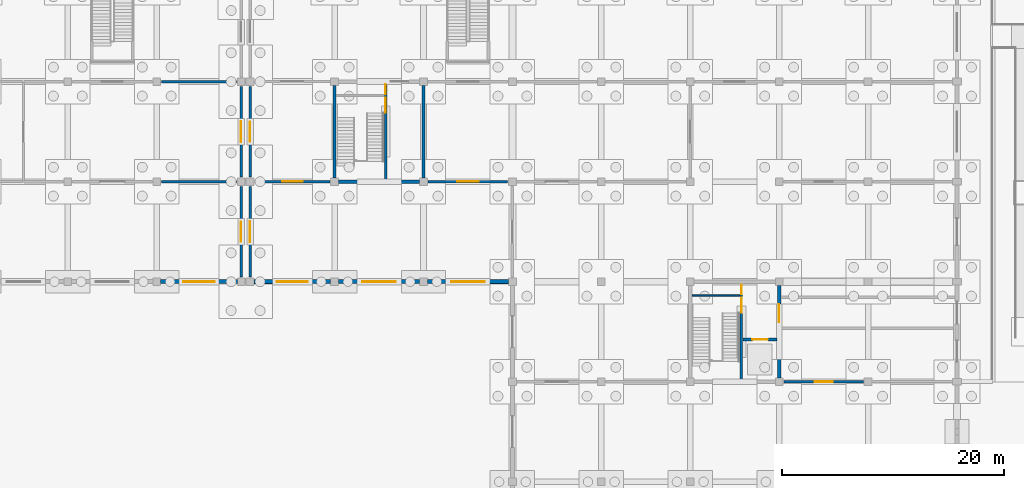
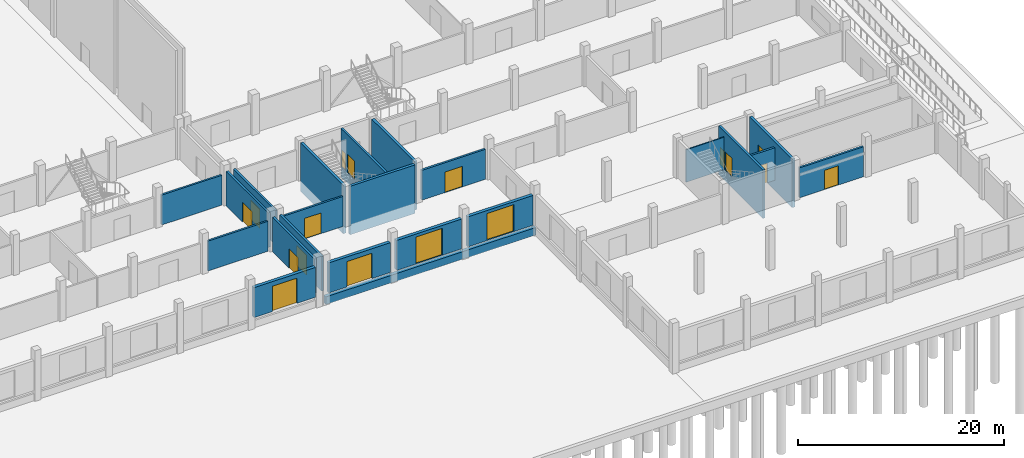
# One storey, part 52 of 72: 22 walls, 17 doors, 17 openings.
"""IFC4 building model written with IfcOpenShell, lengths in metres."""

from ifc_helpers import new_model, si_unit, direction, frame, frame_2d, origin, place, context, subcontext, project, spatial, rectangle, extrude, material, layer, layer_set, type_object, element, fill, save


model = new_model("IFC4")

# Units and contexts
model_context = context("Model", 3, precision=1e-05, world=origin(), true_north=direction((0.0, 1.0)))
body_context = subcontext(model_context, "Body", "Model", "MODEL_VIEW")
ifc_project = project(units=[si_unit("LENGTHUNIT", "METRE"), si_unit("AREAUNIT", "SQUARE_METRE"), si_unit("VOLUMEUNIT", "CUBIC_METRE"), si_unit("PLANEANGLEUNIT", "RADIAN"), si_unit("MASSUNIT", "GRAM", prefix="KILO"), si_unit("THERMODYNAMICTEMPERATUREUNIT", "KELVIN"), si_unit("POWERUNIT", "WATT")], contexts=[model_context])

# Site, building, storey
site_placement = place(None, origin())
site = spatial("IfcSite", under=ifc_project, at=site_placement, CompositionType="ELEMENT")
building_placement = place(site_placement, origin())
building = spatial("IfcBuilding", under=site, at=building_placement, Name="Kronsvod Quay Wholesale Market", CompositionType="ELEMENT")
storey_placement = place(building_placement, origin())
storey = spatial("IfcBuildingStorey", under=building, at=storey_placement, Name="L00", CompositionType="ELEMENT", Elevation=0.0)

# Wall, opening, door
ifc_material_1 = material(Name="Polyisocyanurate deep-freeze panel")
ifc_layer_1 = layer(ifc_material_1, 0.22998046875)
ifc_layer_set_1 = layer_set([ifc_layer_1], Name="Polyisocyanurate deep-freeze panel")
wall_type_1 = type_object("IfcWallType", Name="Wall_ColdFreezer230", PredefinedType="PARTITIONING", material=ifc_layer_set_1)
wall_1_placement = place(storey_placement, frame((144.419921875, 36.0, 0.0), z_axis=(0.0, 0.0, 1.0), x_axis=(1.0, 0.0, 0.0)))
wall_1 = element("IfcWall", 1, at=wall_1_placement, inside=storey, type_object=wall_type_1, Name="PW-L00-0048", PredefinedType="PARTITIONING", context=body_context, shape_type="SweptSolid", body=[
    extrude(rectangle(XDim=7.16015625, YDim=0.22998046875, at=frame_2d((3.580078125, 0.0))), origin(), (0.0, 0.0, 1.0), 3.550048828125),
])
opening_1_placement = place(wall_1_placement, frame((2.60498046875, 0.0, 0.0)))
opening_1 = element("IfcOpeningElement", 2, at=opening_1_placement, cuts=wall_1, Name="Opening D-0155", PredefinedType="OPENING", context=body_context, shape_type="SweptSolid", body=[
    extrude(rectangle(XDim=1.949951171875, YDim=2.449951171875, at=frame_2d((0.97509765625, 1.22509765625))), frame((0.0, 0.125, 0.0), z_axis=(0.0, -1.0, 0.0), x_axis=(1.0, 0.0, 0.0)), (0.0, 0.0, 1.0), 0.25),
])
ifc_material_2 = material(Name="Heated-frame deep-freeze sliding door", Category="steel")
door_type_1 = type_object("IfcDoorType", Name="Door_FreezerSlide195x245", OperationType="SLIDING_TO_RIGHT", PredefinedType="DOOR", material=ifc_material_2)
door_1_placement = place(opening_1_placement, origin())
door_1 = element("IfcDoor", 3, at=door_1_placement, inside=storey, type_object=door_type_1, Name="Interior Door D-0155", OperationType="SLIDING_TO_LEFT", OverallHeight=2.449951171875, OverallWidth=1.949951171875, PredefinedType="DOOR", context=body_context, shape_type="SweptSolid", body=[
    extrude(rectangle(XDim=1.949951171875, YDim=2.449951171875, at=frame_2d((0.97509765625, 1.22509765625))), frame((0.0, 0.02490234375, 0.0), z_axis=(0.0, -1.0, 0.0), x_axis=(1.0, 0.0, 0.0)), (0.0, 0.0, 1.0), 0.050048828125),
])
fill(opening_1, door_1)

# Wall
ifc_material_3 = material(Name="Polyisocyanurate insulated cold-room panel")
ifc_layer_2 = layer(ifc_material_3, 0.2099609375)
ifc_layer_set_2 = layer_set([ifc_layer_2], Name="Polyisocyanurate insulated cold-room panel")
wall_type_2 = type_object("IfcWallType", Name="Wall_ColdInsul210", PredefinedType="PARTITIONING", material=ifc_layer_set_2)
wall_2_placement = place(storey_placement, frame((120.419921875, 36.0, 0.0), z_axis=(0.0, 0.0, 1.0), x_axis=(1.0, 0.0, 0.0)))
element("IfcWall", 4, at=wall_2_placement, inside=storey, type_object=wall_type_2, Name="PW-L00-0045", PredefinedType="PARTITIONING", context=body_context, shape_type="SweptSolid", body=[
    extrude(rectangle(XDim=6.760009765625, YDim=0.2099609375, at=frame_2d((3.3798828125, 0.0))), origin(), (0.0, 0.0, 1.0), 3.550048828125),
])

# Wall, opening, door
wall_3_placement = place(storey_placement, frame((128.820068359375, 36.0, 0.0), z_axis=(0.0, 0.0, 1.0), x_axis=(1.0, 0.0, 0.0)))
wall_3 = element("IfcWall", 5, at=wall_3_placement, inside=storey, type_object=wall_type_2, Name="PW-L00-0047", PredefinedType="PARTITIONING", context=body_context, shape_type="SweptSolid", body=[
    extrude(rectangle(XDim=6.760009765625, YDim=0.2099609375, at=frame_2d((3.3798828125, 0.0))), origin(), (0.0, 0.0, 1.0), 3.550048828125),
])
opening_2_placement = place(wall_3_placement, frame((2.455078125, 0.0, 0.0)))
opening_2 = element("IfcOpeningElement", 6, at=opening_2_placement, cuts=wall_3, Name="Opening D-0154", PredefinedType="OPENING", context=body_context, shape_type="SweptSolid", body=[
    extrude(rectangle(XDim=1.85009765625, YDim=2.449951171875, at=frame_2d((0.925048828125, 1.22509765625))), frame((0.0, 0.114990234375, 0.0), z_axis=(0.0, -1.0, 0.0), x_axis=(1.0, 0.0, 0.0)), (0.0, 0.0, 1.0), 0.22998046875),
])
ifc_material_4 = material(Name="Insulated stainless cold-store door", Category="steel")
door_type_2 = type_object("IfcDoorType", Name="Door_ColdSlide185x245", OperationType="SLIDING_TO_LEFT", PredefinedType="DOOR", material=ifc_material_4)
door_2_placement = place(opening_2_placement, origin())
door_2 = element("IfcDoor", 7, at=door_2_placement, inside=storey, type_object=door_type_2, Name="Interior Door D-0154", OperationType="SLIDING_TO_LEFT", OverallHeight=2.449951171875, OverallWidth=1.85009765625, PredefinedType="DOOR", context=body_context, shape_type="SweptSolid", body=[
    extrude(rectangle(XDim=1.85009765625, YDim=2.449951171875, at=frame_2d((0.925048828125, 1.22509765625))), frame((0.0, 0.02490234375, 0.0), z_axis=(0.0, -1.0, 0.0), x_axis=(1.0, 0.0, 0.0)), (0.0, 0.0, 1.0), 0.050048828125),
])
fill(opening_2, door_2)

# Walls
wall_4_placement = place(storey_placement, frame((120.419921875, 45.0, 0.0), z_axis=(0.0, 0.0, 1.0), x_axis=(1.0, 0.0, 0.0)))
element("IfcWall", 8, at=wall_4_placement, inside=storey, type_object=wall_type_2, Name="PW-L00-0068", PredefinedType="PARTITIONING", context=body_context, shape_type="SweptSolid", body=[
    extrude(rectangle(XDim=6.760009765625, YDim=0.2099609375, at=frame_2d((3.3798828125, 0.0))), origin(), (0.0, 0.0, 1.0), 3.550048828125),
])
ifc_material_5 = material(Name="Concrete C35/45", Category="concrete")
ifc_layer_3 = layer(ifc_material_5, 0.300048828125)
ifc_layer_set_3 = layer_set([ifc_layer_3], Name="Concrete C35/45")
wall_type_3 = type_object("IfcWallType", Name="Wall_CoreShear300", PredefinedType="SHEAR", material=ifc_layer_set_3)
wall_5_placement = place(storey_placement, frame((136.344970703125, 36.0, -1.25), z_axis=(0.0, 0.0, 1.0), x_axis=(1.0, 0.0, 0.0)))
element("IfcWall", 9, at=wall_5_placement, inside=storey, type_object=wall_type_3, Name="CW-C05-L00-S", PredefinedType="SHEAR", context=body_context, shape_type="SweptSolid", body=[
    extrude(rectangle(XDim=7.31005859375, YDim=0.300048828125, at=frame_2d((3.655029296875, 0.0))), origin(), (0.0, 0.0, 1.0), 5.7548828125),
])
for number, where, z_axis, x_axis, name in (
    (10, (136.0, 36.344970703125, -1.25), (0.0, 0.0, 1.0), (0.0, 1.0, 0.0), "CW-C05-L00-W"),
    (11, (144.0, 36.344970703125, -1.25), (0.0, 0.0, 1.0), (0.0, 1.0, 0.0), "CW-C05-L00-E"),
):
    element("IfcWall", number, at=place(storey_placement, frame(where, z_axis=z_axis, x_axis=x_axis)), inside=storey, type_object=wall_type_3, Name=name, PredefinedType="SHEAR", context=body_context, shape_type="SweptSolid", body=[
        extrude(rectangle(XDim=8.31005859375, YDim=0.300048828125, at=frame_2d((4.155029296875, 0.0))), origin(), (0.0, 0.0, 1.0), 5.7548828125),
    ])

# Wall, opening, door
wall_6_placement = place(storey_placement, frame((176.0, 18.344970703125, -1.25), z_axis=(0.0, 0.0, 1.0), x_axis=(0.0, 1.0, 0.0)))
wall_6 = element("IfcWall", 12, at=wall_6_placement, inside=storey, type_object=wall_type_3, Name="CW-C06-L00-E", PredefinedType="SHEAR", context=body_context, shape_type="SweptSolid", body=[
    extrude(rectangle(XDim=8.31005859375, YDim=0.300048828125, at=frame_2d((4.155029296875, 0.0))), origin(), (0.0, 0.0, 1.0), 5.7548828125),
])
opening_3_placement = place(wall_6_placement, frame((5.0, 0.0, 1.25)))
opening_3 = element("IfcOpeningElement", 13, at=opening_3_placement, cuts=wall_6, Name="Opening D-0056", PredefinedType="OPENING", context=body_context, shape_type="SweptSolid", body=[
    extrude(rectangle(XDim=1.64990234375, YDim=2.219970703125, at=frame_2d((0.824951171875, 1.10986328125))), frame((0.0, 0.16015625, 0.0), z_axis=(0.0, -1.0, 0.0), x_axis=(1.0, 0.0, 0.0)), (0.0, 0.0, 1.0), 0.320068359375),
])
ifc_material_6 = material(Name="Painted galvanized fire steel", Category="steel")
door_type_3 = type_object("IfcDoorType", Name="Door_FireLobby165x222", OperationType="DOUBLE_DOOR_SINGLE_SWING", PredefinedType="DOOR", material=ifc_material_6)
door_3_placement = place(opening_3_placement, frame((1.64990234375, 0.0, 0.0), z_axis=(0.0, 0.0, 1.0), x_axis=(-1.0, 0.0, 0.0)))
door_3 = element("IfcDoor", 14, at=door_3_placement, inside=storey, type_object=door_type_3, Name="Core Lobby Door D-0056", OperationType="DOUBLE_DOOR_SINGLE_SWING", OverallHeight=2.219970703125, OverallWidth=1.64990234375, PredefinedType="DOOR", context=body_context, shape_type="SweptSolid", body=[
    extrude(rectangle(XDim=1.64990234375, YDim=2.219970703125, at=frame_2d((0.824951171875, 1.10986328125))), frame((0.0, 0.02490234375, 0.0), z_axis=(0.0, -1.0, 0.0), x_axis=(1.0, 0.0, 0.0)), (0.0, 0.0, 1.0), 0.050048828125),
])
fill(opening_3, door_3)

ifc_material_7 = material(Name="Precast concrete C40/50", Category="concrete")
ifc_layer_4 = layer(ifc_material_7, 0.360107421875)
ifc_layer_set_4 = layer_set([ifc_layer_4], Name="Precast concrete C40/50")
wall_type_4 = type_object("IfcWallType", Name="Wall_ExtColdSandwich360", PredefinedType="SOLIDWALL", material=ifc_layer_set_4)
wall_7_placement = place(storey_placement, frame((120.344970703125, 27.0, 0.0), z_axis=(0.0, 0.0, 1.0), x_axis=(1.0, 0.0, 0.0)))
wall_7 = element("IfcWall", 15, at=wall_7_placement, inside=storey, type_object=wall_type_4, Name="EW-X-L00-0040", PredefinedType="SOLIDWALL", context=body_context, shape_type="SweptSolid", body=[
    extrude(rectangle(XDim=6.909912109375, YDim=0.360107421875, at=frame_2d((3.455078125, 0.0))), origin(), (0.0, 0.0, 1.0), 3.550048828125),
])
opening_4_placement = place(wall_7_placement, frame((2.054931640625, 0.0, 0.0)))
opening_4 = element("IfcOpeningElement", 16, at=opening_4_placement, cuts=wall_7, Name="Opening ED-025", PredefinedType="OPENING", context=body_context, shape_type="SweptSolid", body=[
    extrude(rectangle(XDim=2.800048828125, YDim=3.0, at=frame_2d((1.39990234375, 1.5))), frame((0.0, 0.18994140625, 0.0), z_axis=(0.0, -1.0, 0.0), x_axis=(1.0, 0.0, 0.0)), (0.0, 0.0, 1.0), 0.380126953125),
])
ifc_material_8 = material(Name="Insulated galvanized steel sectional shutter", Category="steel")
door_type_4 = type_object("IfcDoorType", Name="Door_DockShutter280x300", OperationType="ROLLINGUP", PredefinedType="GATE", material=ifc_material_8)
door_4_placement = place(opening_4_placement, origin())
door_4 = element("IfcDoor", 17, at=door_4_placement, inside=storey, type_object=door_type_4, Name="Loading Dock Door ED-025", OperationType="ROLLINGUP", OverallHeight=3.0, OverallWidth=2.800048828125, PredefinedType="GATE", context=body_context, shape_type="SweptSolid", body=[
    extrude(rectangle(XDim=2.800048828125, YDim=3.0, at=frame_2d((1.39990234375, 1.5))), frame((0.0, 0.02490234375, 0.0), z_axis=(0.0, -1.0, 0.0), x_axis=(1.0, 0.0, 0.0)), (0.0, 0.0, 1.0), 0.050048828125),
])
fill(opening_4, door_4)

wall_8_placement = place(storey_placement, frame((128.7451171875, 27.0, 0.0), z_axis=(0.0, 0.0, 1.0), x_axis=(1.0, 0.0, 0.0)))
wall_8 = element("IfcWall", 18, at=wall_8_placement, inside=storey, type_object=wall_type_4, Name="EW-X-L00-0070", PredefinedType="SOLIDWALL", context=body_context, shape_type="SweptSolid", body=[
    extrude(rectangle(XDim=6.909912109375, YDim=0.360107421875, at=frame_2d((3.455078125, 0.0))), origin(), (0.0, 0.0, 1.0), 3.550048828125),
])
opening_5_placement = place(wall_8_placement, frame((2.054931640625, 0.0, 0.0)))
opening_5 = element("IfcOpeningElement", 19, at=opening_5_placement, cuts=wall_8, Name="Opening ED-037", PredefinedType="OPENING", context=body_context, shape_type="SweptSolid", body=[
    extrude(rectangle(XDim=2.800048828125, YDim=3.0, at=frame_2d((1.39990234375, 1.5))), frame((0.0, 0.18994140625, 0.0), z_axis=(0.0, -1.0, 0.0), x_axis=(1.0, 0.0, 0.0)), (0.0, 0.0, 1.0), 0.380126953125),
])
door_5_placement = place(opening_5_placement, origin())
door_5 = element("IfcDoor", 20, at=door_5_placement, inside=storey, type_object=door_type_4, Name="Loading Dock Door ED-037", OperationType="ROLLINGUP", OverallHeight=3.0, OverallWidth=2.800048828125, PredefinedType="GATE", context=body_context, shape_type="SweptSolid", body=[
    extrude(rectangle(XDim=2.800048828125, YDim=3.0, at=frame_2d((1.39990234375, 1.5))), frame((0.0, 0.02490234375, 0.0), z_axis=(0.0, -1.0, 0.0), x_axis=(1.0, 0.0, 0.0)), (0.0, 0.0, 1.0), 0.050048828125),
])
fill(opening_5, door_5)

wall_9_placement = place(storey_placement, frame((136.344970703125, 27.0, 0.0), z_axis=(0.0, 0.0, 1.0), x_axis=(1.0, 0.0, 0.0)))
wall_9 = element("IfcWall", 21, at=wall_9_placement, inside=storey, type_object=wall_type_4, Name="EW-X-L00-0071", PredefinedType="SOLIDWALL", context=body_context, shape_type="SweptSolid", body=[
    extrude(rectangle(XDim=7.31005859375, YDim=0.360107421875, at=frame_2d((3.655029296875, 0.0))), origin(), (0.0, 0.0, 1.0), 3.550048828125),
])
opening_6_placement = place(wall_9_placement, frame((2.155029296875, 0.0, 0.0)))
opening_6 = element("IfcOpeningElement", 22, at=opening_6_placement, cuts=wall_9, Name="Opening ED-038", PredefinedType="OPENING", context=body_context, shape_type="SweptSolid", body=[
    extrude(rectangle(XDim=3.0, YDim=3.199951171875, at=frame_2d((1.5, 1.60009765625))), frame((0.0, 0.18994140625, 0.0), z_axis=(0.0, -1.0, 0.0), x_axis=(1.0, 0.0, 0.0)), (0.0, 0.0, 1.0), 0.380126953125),
])
ifc_material_9 = material(Name="Insulated galvanized steel sectional shutter", Category="steel")
door_type_5 = type_object("IfcDoorType", Name="Door_DockShutter300x320", OperationType="ROLLINGUP", PredefinedType="GATE", material=ifc_material_9)
door_6_placement = place(opening_6_placement, origin())
door_6 = element("IfcDoor", 23, at=door_6_placement, inside=storey, type_object=door_type_5, Name="Loading Dock Door ED-038", OperationType="ROLLINGUP", OverallHeight=3.199951171875, OverallWidth=3.0, PredefinedType="GATE", context=body_context, shape_type="SweptSolid", body=[
    extrude(rectangle(XDim=3.0, YDim=3.199951171875, at=frame_2d((1.5, 1.60009765625))), frame((0.0, 0.02490234375, 0.0), z_axis=(0.0, -1.0, 0.0), x_axis=(1.0, 0.0, 0.0)), (0.0, 0.0, 1.0), 0.050048828125),
])
fill(opening_6, door_6)

wall_10_placement = place(storey_placement, frame((144.344970703125, 27.0, 0.0), z_axis=(0.0, 0.0, 1.0), x_axis=(1.0, 0.0, 0.0)))
wall_10 = element("IfcWall", 24, at=wall_10_placement, inside=storey, type_object=wall_type_4, Name="EW-X-L00-0072", PredefinedType="SOLIDWALL", context=body_context, shape_type="SweptSolid", body=[
    extrude(rectangle(XDim=7.31005859375, YDim=0.360107421875, at=frame_2d((3.655029296875, 0.0))), origin(), (0.0, 0.0, 1.0), 3.550048828125),
])
opening_7_placement = place(wall_10_placement, frame((2.155029296875, 0.0, 0.0)))
opening_7 = element("IfcOpeningElement", 25, at=opening_7_placement, cuts=wall_10, Name="Opening ED-039", PredefinedType="OPENING", context=body_context, shape_type="SweptSolid", body=[
    extrude(rectangle(XDim=3.0, YDim=3.199951171875, at=frame_2d((1.5, 1.60009765625))), frame((0.0, 0.18994140625, 0.0), z_axis=(0.0, -1.0, 0.0), x_axis=(1.0, 0.0, 0.0)), (0.0, 0.0, 1.0), 0.380126953125),
])
door_7_placement = place(opening_7_placement, origin())
door_7 = element("IfcDoor", 26, at=door_7_placement, inside=storey, type_object=door_type_5, Name="Loading Dock Door ED-039", OperationType="ROLLINGUP", OverallHeight=3.199951171875, OverallWidth=3.0, PredefinedType="GATE", context=body_context, shape_type="SweptSolid", body=[
    extrude(rectangle(XDim=3.0, YDim=3.199951171875, at=frame_2d((1.5, 1.60009765625))), frame((0.0, 0.02490234375, 0.0), z_axis=(0.0, -1.0, 0.0), x_axis=(1.0, 0.0, 0.0)), (0.0, 0.0, 1.0), 0.050048828125),
])
fill(opening_7, door_7)

ifc_material_10 = material(Name="Precast concrete C40/50", Category="concrete")
ifc_layer_5 = layer(ifc_material_10, 0.239990234375)
ifc_layer_set_5 = layer_set([ifc_layer_5], Name="Precast concrete C40/50")
wall_type_5 = type_object("IfcWallType", Name="Wall_ExtSpandrel240", PredefinedType="SOLIDWALL", material=ifc_layer_set_5)
wall_11_placement = place(storey_placement, frame((127.60009765625, 27.419921875, 0.0), z_axis=(0.0, 0.0, 1.0), x_axis=(0.0, 1.0, 0.0)))
wall_11 = element("IfcWall", 27, at=wall_11_placement, inside=storey, type_object=wall_type_5, Name="MJWG-L00-1276-270", PredefinedType="SOLIDWALL", context=body_context, shape_type="SweptSolid", body=[
    extrude(rectangle(XDim=8.16015625, YDim=0.239990234375, at=frame_2d((4.080078125, 0.0))), origin(), (0.0, 0.0, 1.0), 4.10009765625),
])
opening_8_placement = place(wall_11_placement, frame((3.179931640625, 0.0, 0.0)))
opening_8 = element("IfcOpeningElement", 28, at=opening_8_placement, cuts=wall_11, Name="Opening D-0332", PredefinedType="OPENING", context=body_context, shape_type="SweptSolid", body=[
    extrude(rectangle(XDim=1.800048828125, YDim=2.300048828125, at=frame_2d((0.89990234375, 1.14990234375))), frame((0.0, 0.1298828125, 0.0), z_axis=(0.0, -1.0, 0.0), x_axis=(1.0, 0.0, 0.0)), (0.0, 0.0, 1.0), 0.260009765625),
])
ifc_material_11 = material(Name="Painted galvanized fire steel", Category="steel")
door_type_6 = type_object("IfcDoorType", Name="Door_FireComp180x230", OperationType="DOUBLE_DOOR_SINGLE_SWING", PredefinedType="DOOR", material=ifc_material_11)
door_8_placement = place(opening_8_placement, origin())
door_8 = element("IfcDoor", 29, at=door_8_placement, inside=storey, type_object=door_type_6, Name="Fire Compartment Door D-0332", OperationType="DOUBLE_DOOR_SINGLE_SWING", OverallHeight=2.300048828125, OverallWidth=1.800048828125, PredefinedType="DOOR", context=body_context, shape_type="SweptSolid", body=[
    extrude(rectangle(XDim=1.800048828125, YDim=2.300048828125, at=frame_2d((0.89990234375, 1.14990234375))), frame((0.0, 0.02490234375, 0.0), z_axis=(0.0, -1.0, 0.0), x_axis=(1.0, 0.0, 0.0)), (0.0, 0.0, 1.0), 0.050048828125),
])
fill(opening_8, door_8)

wall_12_placement = place(storey_placement, frame((127.60009765625, 36.419921875, 0.0), z_axis=(0.0, 0.0, 1.0), x_axis=(0.0, 1.0, 0.0)))
wall_12 = element("IfcWall", 30, at=wall_12_placement, inside=storey, type_object=wall_type_5, Name="MJWG-L00-1276-360", PredefinedType="SOLIDWALL", context=body_context, shape_type="SweptSolid", body=[
    extrude(rectangle(XDim=8.16015625, YDim=0.239990234375, at=frame_2d((4.080078125, 0.0))), origin(), (0.0, 0.0, 1.0), 4.10009765625),
])
opening_9_placement = place(wall_12_placement, frame((3.1298828125, 0.0, 0.0)))
opening_9 = element("IfcOpeningElement", 31, at=opening_9_placement, cuts=wall_12, Name="Opening D-0333", PredefinedType="OPENING", context=body_context, shape_type="SweptSolid", body=[
    extrude(rectangle(XDim=1.89990234375, YDim=2.35009765625, at=frame_2d((0.949951171875, 1.175048828125))), frame((0.0, 0.1298828125, 0.0), z_axis=(0.0, -1.0, 0.0), x_axis=(1.0, 0.0, 0.0)), (0.0, 0.0, 1.0), 0.260009765625),
])
ifc_material_12 = material(Name="Painted galvanized fire steel", Category="steel")
door_type_7 = type_object("IfcDoorType", Name="Door_FireComp190x235", OperationType="DOUBLE_DOOR_SINGLE_SWING", PredefinedType="DOOR", material=ifc_material_12)
door_9_placement = place(opening_9_placement, origin())
door_9 = element("IfcDoor", 32, at=door_9_placement, inside=storey, type_object=door_type_7, Name="Fire Compartment Door D-0333", OperationType="DOUBLE_DOOR_SINGLE_SWING", OverallHeight=2.35009765625, OverallWidth=1.89990234375, PredefinedType="DOOR", context=body_context, shape_type="SweptSolid", body=[
    extrude(rectangle(XDim=1.89990234375, YDim=2.35009765625, at=frame_2d((0.949951171875, 1.175048828125))), frame((0.0, 0.02490234375, 0.0), z_axis=(0.0, -1.0, 0.0), x_axis=(1.0, 0.0, 0.0)), (0.0, 0.0, 1.0), 0.050048828125),
])
fill(opening_9, door_9)

wall_13_placement = place(storey_placement, frame((128.39990234375, 27.419921875, 0.0), z_axis=(0.0, 0.0, 1.0), x_axis=(0.0, 1.0, 0.0)))
wall_13 = element("IfcWall", 33, at=wall_13_placement, inside=storey, type_object=wall_type_5, Name="MJWG-L00-1284-270", PredefinedType="SOLIDWALL", context=body_context, shape_type="SweptSolid", body=[
    extrude(rectangle(XDim=8.16015625, YDim=0.239990234375, at=frame_2d((4.080078125, 0.0))), origin(), (0.0, 0.0, 1.0), 4.10009765625),
])
opening_10_placement = place(wall_13_placement, frame((3.1298828125, 0.0, 0.0)))
opening_10 = element("IfcOpeningElement", 34, at=opening_10_placement, cuts=wall_13, Name="Opening D-0341", PredefinedType="OPENING", context=body_context, shape_type="SweptSolid", body=[
    extrude(rectangle(XDim=1.89990234375, YDim=2.35009765625, at=frame_2d((0.949951171875, 1.175048828125))), frame((0.0, 0.1298828125, 0.0), z_axis=(0.0, -1.0, 0.0), x_axis=(1.0, 0.0, 0.0)), (0.0, 0.0, 1.0), 0.260009765625),
])
door_10_placement = place(opening_10_placement, origin())
door_10 = element("IfcDoor", 35, at=door_10_placement, inside=storey, type_object=door_type_7, Name="Fire Compartment Door D-0341", OperationType="DOUBLE_DOOR_SINGLE_SWING", OverallHeight=2.35009765625, OverallWidth=1.89990234375, PredefinedType="DOOR", context=body_context, shape_type="SweptSolid", body=[
    extrude(rectangle(XDim=1.89990234375, YDim=2.35009765625, at=frame_2d((0.949951171875, 1.175048828125))), frame((0.0, 0.02490234375, 0.0), z_axis=(0.0, -1.0, 0.0), x_axis=(1.0, 0.0, 0.0)), (0.0, 0.0, 1.0), 0.050048828125),
])
fill(opening_10, door_10)

wall_14_placement = place(storey_placement, frame((128.39990234375, 36.419921875, 0.0), z_axis=(0.0, 0.0, 1.0), x_axis=(0.0, 1.0, 0.0)))
wall_14 = element("IfcWall", 36, at=wall_14_placement, inside=storey, type_object=wall_type_5, Name="MJWG-L00-1284-360", PredefinedType="SOLIDWALL", context=body_context, shape_type="SweptSolid", body=[
    extrude(rectangle(XDim=8.16015625, YDim=0.239990234375, at=frame_2d((4.080078125, 0.0))), origin(), (0.0, 0.0, 1.0), 4.10009765625),
])
opening_11_placement = place(wall_14_placement, frame((3.179931640625, 0.0, 0.0)))
opening_11 = element("IfcOpeningElement", 37, at=opening_11_placement, cuts=wall_14, Name="Opening D-0342", PredefinedType="OPENING", context=body_context, shape_type="SweptSolid", body=[
    extrude(rectangle(XDim=1.800048828125, YDim=2.300048828125, at=frame_2d((0.89990234375, 1.14990234375))), frame((0.0, 0.1298828125, 0.0), z_axis=(0.0, -1.0, 0.0), x_axis=(1.0, 0.0, 0.0)), (0.0, 0.0, 1.0), 0.260009765625),
])
door_11_placement = place(opening_11_placement, origin())
door_11 = element("IfcDoor", 38, at=door_11_placement, inside=storey, type_object=door_type_6, Name="Fire Compartment Door D-0342", OperationType="DOUBLE_DOOR_SINGLE_SWING", OverallHeight=2.300048828125, OverallWidth=1.800048828125, PredefinedType="DOOR", context=body_context, shape_type="SweptSolid", body=[
    extrude(rectangle(XDim=1.800048828125, YDim=2.300048828125, at=frame_2d((0.89990234375, 1.14990234375))), frame((0.0, 0.02490234375, 0.0), z_axis=(0.0, -1.0, 0.0), x_axis=(1.0, 0.0, 0.0)), (0.0, 0.0, 1.0), 0.050048828125),
])
fill(opening_11, door_11)

ifc_material_13 = material(Name="Concrete C35/45", Category="concrete")
ifc_layer_6 = layer(ifc_material_13, 0.219970703125)
ifc_layer_set_6 = layer_set([ifc_layer_6], Name="Concrete C35/45")
wall_type_6 = type_object("IfcWallType", Name="Wall_FireComp220", PredefinedType="SOLIDWALL", material=ifc_layer_set_6)
wall_15_placement = place(storey_placement, frame((176.419921875, 18.0, 0.0), z_axis=(0.0, 0.0, 1.0), x_axis=(1.0, 0.0, 0.0)))
wall_15 = element("IfcWall", 39, at=wall_15_placement, inside=storey, type_object=wall_type_6, Name="PW-L00-0051", PredefinedType="SOLIDWALL", context=body_context, shape_type="SweptSolid", body=[
    extrude(rectangle(XDim=7.16015625, YDim=0.219970703125, at=frame_2d((3.580078125, 0.0))), origin(), (0.0, 0.0, 1.0), 3.550048828125),
])
opening_12_placement = place(wall_15_placement, frame((2.780029296875, 0.0, 0.0)))
opening_12 = element("IfcOpeningElement", 40, at=opening_12_placement, cuts=wall_15, Name="Opening D-0157", PredefinedType="OPENING", context=body_context, shape_type="SweptSolid", body=[
    extrude(rectangle(XDim=1.60009765625, YDim=2.280029296875, at=frame_2d((0.800048828125, 1.14013671875))), frame((0.0, 0.1201171875, 0.0), z_axis=(0.0, -1.0, 0.0), x_axis=(1.0, 0.0, 0.0)), (0.0, 0.0, 1.0), 0.239990234375),
])
ifc_material_14 = material(Name="Painted steel plant door", Category="steel")
door_type_8 = type_object("IfcDoorType", Name="Door_Plant160x228", OperationType="DOUBLE_DOOR_SINGLE_SWING", PredefinedType="DOOR", material=ifc_material_14)
door_12_placement = place(opening_12_placement, origin())
door_12 = element("IfcDoor", 41, at=door_12_placement, inside=storey, type_object=door_type_8, Name="Interior Door D-0157", OperationType="DOUBLE_DOOR_SINGLE_SWING", OverallHeight=2.280029296875, OverallWidth=1.60009765625, PredefinedType="DOOR", context=body_context, shape_type="SweptSolid", body=[
    extrude(rectangle(XDim=1.60009765625, YDim=2.280029296875, at=frame_2d((0.800048828125, 1.14013671875))), frame((0.0, 0.02490234375, 0.0), z_axis=(0.0, -1.0, 0.0), x_axis=(1.0, 0.0, 0.0)), (0.0, 0.0, 1.0), 0.050048828125),
])
fill(opening_12, door_12)

# Walls
ifc_material_15 = material(Name="Fire-rated shaft riser block wall", Category="masonry")
ifc_layer_7 = layer(ifc_material_15, 0.1298828125)
ifc_layer_set_7 = layer_set([ifc_layer_7], Name="Fire-rated shaft riser block wall")
wall_type_7 = type_object("IfcWallType", Name="Wall_PartRiser130", PredefinedType="PARTITIONING", material=ifc_layer_set_7)
wall_16_placement = place(storey_placement, frame((168.179931640625, 25.75, 0.0), z_axis=(0.0, 0.0, 1.0), x_axis=(1.0, 0.0, 0.0)))
element("IfcWall", 42, at=wall_16_placement, inside=storey, type_object=wall_type_7, Name="CW-C06-L00-RSR", PredefinedType="PARTITIONING", context=body_context, shape_type="SweptSolid", body=[
    extrude(rectangle(XDim=4.280029296875, YDim=0.1298828125, at=frame_2d((2.14013671875, 0.0))), origin(), (0.0, 0.0, 1.0), 3.85498046875),
])
ifc_material_16 = material(Name="Precast concrete C40/50", Category="concrete")
ifc_layer_8 = layer(ifc_material_16, 0.39990234375)
ifc_layer_set_8 = layer_set([ifc_layer_8], Name="Precast concrete C40/50")
wall_type_8 = type_object("IfcWallType", Name="Wall_PlinthSkirt400", PredefinedType="STANDARD", material=ifc_layer_set_8)
wall_17_placement = place(storey_placement, frame((128.39990234375, 27.0, -1.25), z_axis=(0.0, 0.0, 1.0), x_axis=(1.0, 0.0, 0.0)))
element("IfcWall", 43, at=wall_17_placement, inside=storey, type_object=wall_type_8, Name="RW-YC3", PredefinedType="STANDARD", context=body_context, shape_type="SweptSolid", body=[
    extrude(rectangle(XDim=23.60009765625, YDim=0.39990234375, at=frame_2d((11.800048828125, 0.0))), origin(), (0.0, 0.0, 1.0), 0.89990234375),
])

# Wall, openings, doors
ifc_material_17 = material(Name="Concrete C35/45", Category="concrete")
ifc_layer_9 = layer(ifc_material_17, 0.239990234375)
ifc_layer_set_9 = layer_set([ifc_layer_9], Name="Concrete C35/45")
wall_type_9 = type_object("IfcWallType", Name="Wall_ShaftWall240", PredefinedType="SHEAR", material=ifc_layer_set_9)
wall_18_placement = place(storey_placement, frame((140.60009765625, 36.179931640625, -1.25), z_axis=(0.0, 0.0, 1.0), x_axis=(0.0, 1.0, 0.0)))
wall_18 = element("IfcWall", 44, at=wall_18_placement, inside=storey, type_object=wall_type_9, Name="CW-C05-L00-DIV", PredefinedType="SHEAR", context=body_context, shape_type="SweptSolid", body=[
    extrude(rectangle(XDim=8.64013671875, YDim=0.239990234375, at=frame_2d((4.320068359375, 0.0))), origin(), (0.0, 0.0, 1.0), 5.7548828125),
])
opening_13_placement = place(wall_18_placement, frame((6.02001953125, 0.0, 1.25)))
opening_13 = element("IfcOpeningElement", 45, at=opening_13_placement, cuts=wall_18, Name="Opening D-0045", PredefinedType="OPENING", context=body_context, shape_type="SweptSolid", body=[
    extrude(rectangle(XDim=1.35009765625, YDim=2.199951171875, at=frame_2d((0.675048828125, 1.10009765625))), frame((0.0, 0.1298828125, 0.0), z_axis=(0.0, -1.0, 0.0), x_axis=(1.0, 0.0, 0.0)), (0.0, 0.0, 1.0), 0.260009765625),
])
opening_14_placement = place(wall_18_placement, frame((7.679931640625, 0.0, 1.25)))
opening_14 = element("IfcOpeningElement", 46, at=opening_14_placement, cuts=wall_18, Name="Opening D-0046", PredefinedType="OPENING", context=body_context, shape_type="SweptSolid", body=[
    extrude(rectangle(XDim=0.89990234375, YDim=2.050048828125, at=frame_2d((0.449951171875, 1.02490234375))), frame((0.0, 0.1298828125, 0.0), z_axis=(0.0, -1.0, 0.0), x_axis=(1.0, 0.0, 0.0)), (0.0, 0.0, 1.0), 0.260009765625),
])
ifc_material_18 = material(Name="Painted galvanized fire steel", Category="steel")
door_type_9 = type_object("IfcDoorType", Name="Door_FireStair135x220", OperationType="NOTDEFINED", PredefinedType="DOOR", material=ifc_material_18)
door_13_placement = place(opening_13_placement, origin())
door_13 = element("IfcDoor", 47, at=door_13_placement, inside=storey, type_object=door_type_9, Name="Stair Fire Door D-0045", OperationType="SINGLE_SWING_LEFT", OverallHeight=2.199951171875, OverallWidth=1.35009765625, PredefinedType="DOOR", context=body_context, shape_type="SweptSolid", body=[
    extrude(rectangle(XDim=1.35009765625, YDim=2.199951171875, at=frame_2d((0.675048828125, 1.10009765625))), frame((0.0, 0.02490234375, 0.0), z_axis=(0.0, -1.0, 0.0), x_axis=(1.0, 0.0, 0.0)), (0.0, 0.0, 1.0), 0.050048828125),
])
fill(opening_13, door_13)
ifc_material_19 = material(Name="Fire-rated steel riser access door", Category="steel")
door_type_10 = type_object("IfcDoorType", Name="Door_Riser90x205", OperationType="NOTDEFINED", PredefinedType="DOOR", material=ifc_material_19)
door_14_placement = place(opening_14_placement, origin())
door_14 = element("IfcDoor", 48, at=door_14_placement, inside=storey, type_object=door_type_10, Name="Service Riser Door D-0046", OperationType="SINGLE_SWING_RIGHT", OverallHeight=2.050048828125, OverallWidth=0.89990234375, PredefinedType="DOOR", context=body_context, shape_type="SweptSolid", body=[
    extrude(rectangle(XDim=0.89990234375, YDim=2.050048828125, at=frame_2d((0.449951171875, 1.02490234375))), frame((0.0, 0.02490234375, 0.0), z_axis=(0.0, -1.0, 0.0), x_axis=(1.0, 0.0, 0.0)), (0.0, 0.0, 1.0), 0.050048828125),
])
fill(opening_14, door_14)

wall_19_placement = place(storey_placement, frame((172.60009765625, 18.179931640625, -1.25), z_axis=(0.0, 0.0, 1.0), x_axis=(0.0, 1.0, 0.0)))
wall_19 = element("IfcWall", 49, at=wall_19_placement, inside=storey, type_object=wall_type_9, Name="CW-C06-L00-DIV", PredefinedType="SHEAR", context=body_context, shape_type="SweptSolid", body=[
    extrude(rectangle(XDim=8.64013671875, YDim=0.239990234375, at=frame_2d((4.320068359375, 0.0))), origin(), (0.0, 0.0, 1.0), 5.7548828125),
])
opening_15_placement = place(wall_19_placement, frame((6.02001953125, 0.0, 1.25)))
opening_15 = element("IfcOpeningElement", 50, at=opening_15_placement, cuts=wall_19, Name="Opening D-0054", PredefinedType="OPENING", context=body_context, shape_type="SweptSolid", body=[
    extrude(rectangle(XDim=1.3798828125, YDim=2.219970703125, at=frame_2d((0.68994140625, 1.10986328125))), frame((0.0, 0.1298828125, 0.0), z_axis=(0.0, -1.0, 0.0), x_axis=(1.0, 0.0, 0.0)), (0.0, 0.0, 1.0), 0.260009765625),
])
opening_16_placement = place(wall_19_placement, frame((7.679931640625, 0.0, 1.25)))
opening_16 = element("IfcOpeningElement", 51, at=opening_16_placement, cuts=wall_19, Name="Opening D-0055", PredefinedType="OPENING", context=body_context, shape_type="SweptSolid", body=[
    extrude(rectangle(XDim=0.8798828125, YDim=2.02001953125, at=frame_2d((0.43994140625, 1.010009765625))), frame((0.0, 0.1298828125, 0.0), z_axis=(0.0, -1.0, 0.0), x_axis=(1.0, 0.0, 0.0)), (0.0, 0.0, 1.0), 0.260009765625),
])
ifc_material_20 = material(Name="Painted galvanized fire steel", Category="steel")
door_type_11 = type_object("IfcDoorType", Name="Door_FireStair138x222", OperationType="NOTDEFINED", PredefinedType="DOOR", material=ifc_material_20)
door_15_placement = place(opening_15_placement, origin())
door_15 = element("IfcDoor", 52, at=door_15_placement, inside=storey, type_object=door_type_11, Name="Stair Fire Door D-0054", OperationType="SINGLE_SWING_LEFT", OverallHeight=2.219970703125, OverallWidth=1.3798828125, PredefinedType="DOOR", context=body_context, shape_type="SweptSolid", body=[
    extrude(rectangle(XDim=1.3798828125, YDim=2.219970703125, at=frame_2d((0.68994140625, 1.10986328125))), frame((0.0, 0.02490234375, 0.0), z_axis=(0.0, -1.0, 0.0), x_axis=(1.0, 0.0, 0.0)), (0.0, 0.0, 1.0), 0.050048828125),
])
fill(opening_15, door_15)
ifc_material_21 = material(Name="Fire-rated steel riser access door", Category="steel")
door_type_12 = type_object("IfcDoorType", Name="Door_Riser88x202", OperationType="NOTDEFINED", PredefinedType="DOOR", material=ifc_material_21)
door_16_placement = place(opening_16_placement, origin())
door_16 = element("IfcDoor", 53, at=door_16_placement, inside=storey, type_object=door_type_12, Name="Service Riser Door D-0055", OperationType="SINGLE_SWING_RIGHT", OverallHeight=2.02001953125, OverallWidth=0.8798828125, PredefinedType="DOOR", context=body_context, shape_type="SweptSolid", body=[
    extrude(rectangle(XDim=0.8798828125, YDim=2.02001953125, at=frame_2d((0.43994140625, 1.010009765625))), frame((0.0, 0.02490234375, 0.0), z_axis=(0.0, -1.0, 0.0), x_axis=(1.0, 0.0, 0.0)), (0.0, 0.0, 1.0), 0.050048828125),
])
fill(opening_16, door_16)

# Wall, opening, door
wall_20_placement = place(storey_placement, frame((172.75, 21.800048828125, 0.0), z_axis=(0.0, 0.0, 1.0), x_axis=(1.0, 0.0, 0.0)))
wall_20 = element("IfcWall", 54, at=wall_20_placement, inside=storey, type_object=wall_type_9, Name="CW-C06-L00-LSH", PredefinedType="SHEAR", context=body_context, shape_type="SweptSolid", body=[
    extrude(rectangle(XDim=3.070068359375, YDim=0.239990234375, at=frame_2d((1.53515625, 0.0))), origin(), (0.0, 0.0, 1.0), 3.85498046875),
])
opening_17_placement = place(wall_20_placement, frame((0.8349609375, 0.0, 0.0)))
opening_17 = element("IfcOpeningElement", 55, at=opening_17_placement, cuts=wall_20, Name="Opening D-0057", PredefinedType="OPENING", context=body_context, shape_type="SweptSolid", body=[
    extrude(rectangle(XDim=1.39990234375, YDim=2.300048828125, at=frame_2d((0.699951171875, 1.14990234375))), frame((0.0, 0.1298828125, 0.0), z_axis=(0.0, -1.0, 0.0), x_axis=(1.0, 0.0, 0.0)), (0.0, 0.0, 1.0), 0.260009765625),
])
ifc_material_22 = material(Name="Brushed stainless steel", Category="steel")
door_type_13 = type_object("IfcDoorType", Name="Door_LiftLandingGoods", OperationType="SLIDING_TO_LEFT", PredefinedType="DOOR", material=ifc_material_22)
door_17_placement = place(opening_17_placement, origin())
door_17 = element("IfcDoor", 56, at=door_17_placement, inside=storey, type_object=door_type_13, Name="Lift Landing Door LFT-G04 L00", OperationType="SLIDING_TO_LEFT", OverallHeight=2.300048828125, OverallWidth=1.39990234375, PredefinedType="DOOR", context=body_context, shape_type="SweptSolid", body=[
    extrude(rectangle(XDim=1.39990234375, YDim=2.300048828125, at=frame_2d((0.699951171875, 1.14990234375))), frame((0.0, 0.02490234375, 0.0), z_axis=(0.0, -1.0, 0.0), x_axis=(1.0, 0.0, 0.0)), (0.0, 0.0, 1.0), 0.050048828125),
])
fill(opening_17, door_17)

save(model, "model.ifc")
